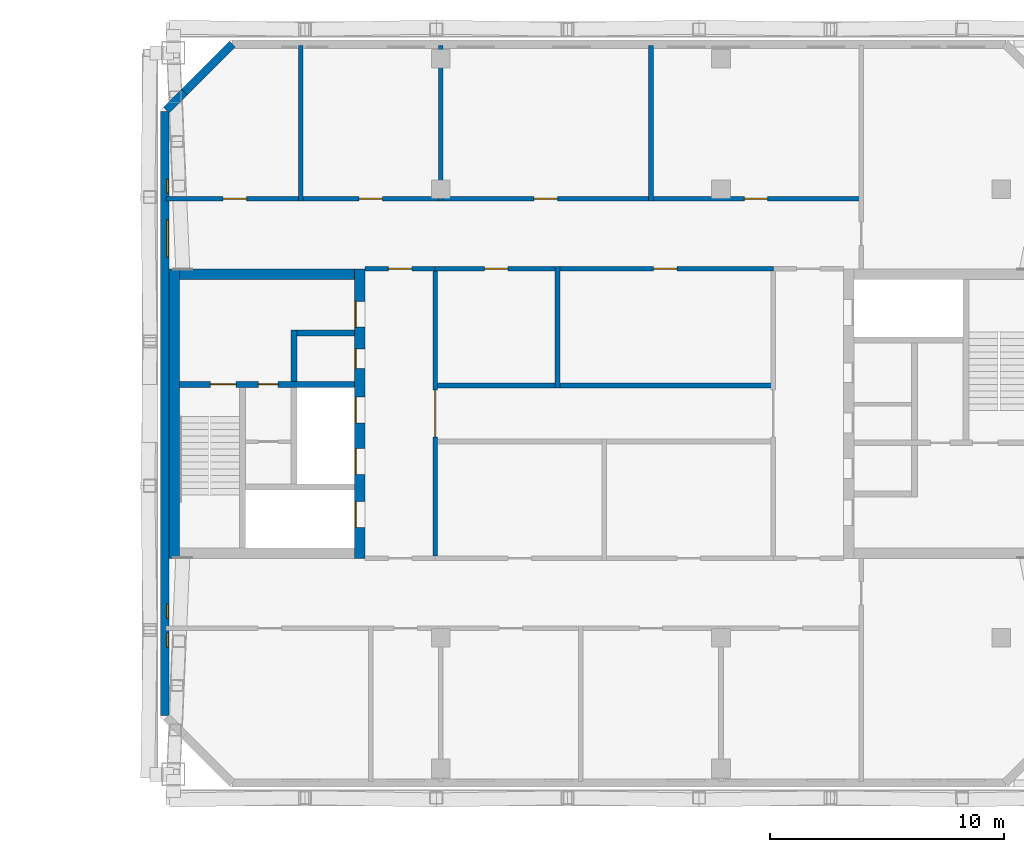
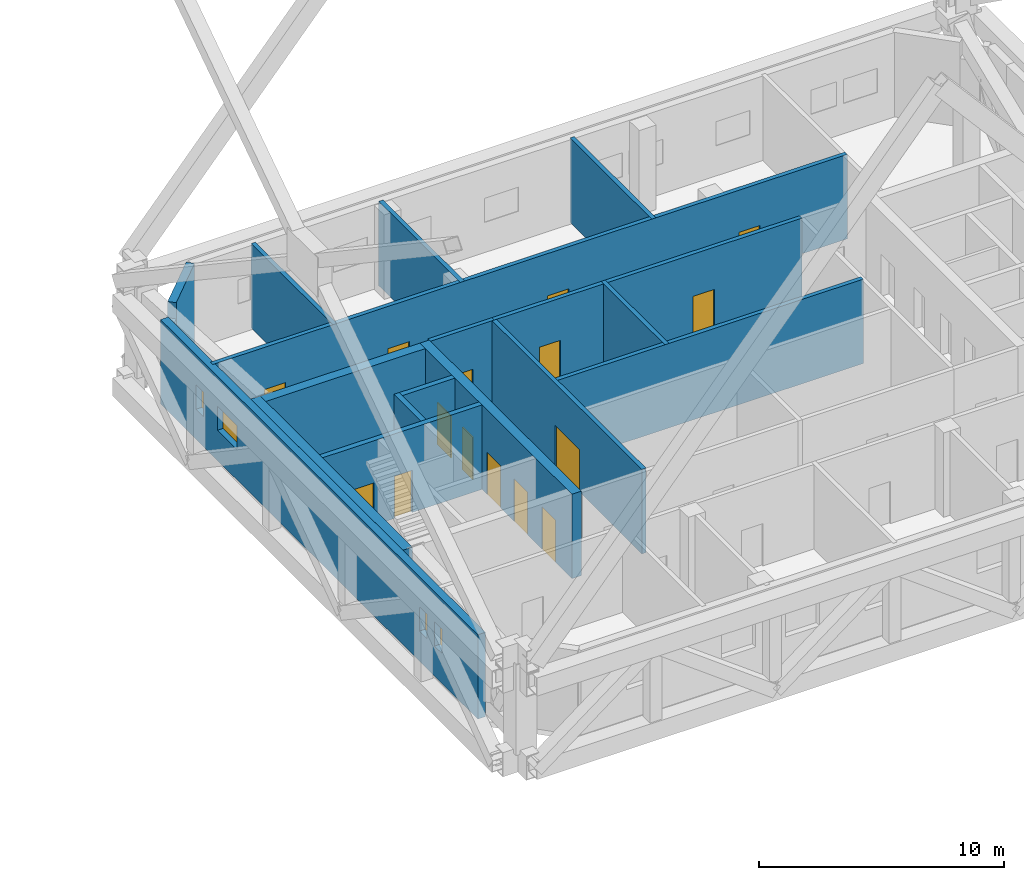
# One storey, part 12 of 20: 18 walls, 15 doors, 4 windows, 19 openings.
"""IFC4 building model written with IfcOpenShell, lengths in metres."""

from ifc_helpers import new_model, si_unit, direction, frame, frame_2d, origin, place, context, subcontext, project, spatial, rectangle, extrude, material, layer, layer_set, type_object, element, fill, save


model = new_model("IFC4")

# Units and contexts
model_context = context("Model", 3, precision=1e-05, world=origin(), true_north=direction((0.0, 1.0)))
body_context = subcontext(model_context, "Body", "Model", "MODEL_VIEW")
ifc_project = project(units=[si_unit("LENGTHUNIT", "METRE"), si_unit("AREAUNIT", "SQUARE_METRE"), si_unit("VOLUMEUNIT", "CUBIC_METRE"), si_unit("PLANEANGLEUNIT", "RADIAN"), si_unit("MASSUNIT", "GRAM", prefix="KILO")], contexts=[model_context])

# Site, building, storey
site_placement = place(None, origin())
site = spatial("IfcSite", under=ifc_project, at=site_placement, CompositionType="ELEMENT")
building_placement = place(site_placement, origin())
building = spatial("IfcBuilding", under=site, at=building_placement, Name="Tuart Gate Housing", CompositionType="ELEMENT")
storey_placement = place(building_placement, frame((0.0, 0.0, 167.10009765625)))
storey = spatial("IfcBuildingStorey", under=building, at=storey_placement, Name="L47", CompositionType="ELEMENT", Elevation=167.10009765625)

# Walls
ifc_material_1 = material(Name="Brick", Category="masonry")
ifc_layer_1 = layer(ifc_material_1, 0.360107421875)
ifc_layer_set_1 = layer_set([ifc_layer_1], Name="Brick pier and spandrel wall 360")
wall_type_1 = type_object("IfcWallType", Name="Brick pier and spandrel wall 360", PredefinedType="STANDARD", material=ifc_layer_set_1)
wall_1_placement = place(storey_placement, frame((134.07470703125, 85.820068359375, 0.0), z_axis=(0.0, 0.0, 1.0), x_axis=(-0.707148882153, -0.707064677713, 0.0)))
element("IfcWall", 1, at=wall_1_placement, inside=storey, type_object=wall_type_1, Name="External wall B-NW L47", PredefinedType="STANDARD", context=body_context, shape_type="SweptSolid", body=[
    extrude(rectangle(XDim=2.8994140625, YDim=0.360107421875, at=frame_2d((1.44970703125, 0.0))), origin(), (0.0, 0.0, 1.0), 4.199951171875),
])
wall_2_placement = place(storey_placement, frame((132.0244140625, 83.77001953125, 0.952880859375), z_axis=(0.0, 0.0, 1.0), x_axis=(-0.706994764273, -0.707218780358, 0.0)))
element("IfcWall", 2, at=wall_2_placement, inside=storey, type_object=wall_type_1, Name="External wall B-NW L47", PredefinedType="STANDARD", context=body_context, shape_type="SweptSolid", body=[
    extrude(rectangle(XDim=1.08984375, YDim=0.360107421875, at=frame_2d((0.544921875, 0.0))), origin(), (0.0, 0.0, 1.0), 2.444091796875),
])

# Wall, openings, windows
wall_3_placement = place(storey_placement, frame((131.179931640625, 82.92529296875, 0.0), z_axis=(0.0, 0.0, 1.0), x_axis=(0.0, -1.0, 0.0)))
wall_3 = element("IfcWall", 3, at=wall_3_placement, inside=storey, type_object=wall_type_1, Name="External wall B-W L47", PredefinedType="STANDARD", context=body_context, shape_type="SweptSolid", body=[
    extrude(rectangle(XDim=25.850830078125, YDim=0.360107421875, at=frame_2d((12.92529296875, 0.0))), origin(), (0.0, 0.0, 1.0), 4.199951171875),
])
opening_1_placement = place(wall_3_placement, frame((2.89990234375, 0.0, 1.5)))
opening_1 = element("IfcOpeningElement", 4, at=opening_1_placement, cuts=wall_3, Name="Opening W3C", PredefinedType="OPENING", context=body_context, shape_type="SweptSolid", body=[
    extrude(rectangle(XDim=0.60009765625, YDim=1.199951171875, at=frame_2d((0.300048828125, 0.60009765625))), frame((0.0, 0.18994140625, 0.0), z_axis=(0.0, -1.0, 0.0), x_axis=(1.0, 0.0, 0.0)), (0.0, 0.0, 1.0), 0.380126953125),
])
opening_2_placement = place(wall_3_placement, frame((4.62548828125, 0.0, 1.5)))
opening_2 = element("IfcOpeningElement", 5, at=opening_2_placement, cuts=wall_3, Name="Opening W3", PredefinedType="OPENING", context=body_context, shape_type="SweptSolid", body=[
    extrude(rectangle(XDim=1.60009765625, YDim=1.199951171875, at=frame_2d((0.800048828125, 0.60009765625))), frame((0.0, 0.18994140625, 0.0), z_axis=(0.0, -1.0, 0.0), x_axis=(1.0, 0.0, 0.0)), (0.0, 0.0, 1.0), 0.380126953125),
])
opening_3_placement = place(wall_3_placement, frame((21.100341796875, 0.0, 1.5)))
opening_3 = element("IfcOpeningElement", 6, at=opening_3_placement, cuts=wall_3, Name="Opening W3C", PredefinedType="OPENING", context=body_context, shape_type="SweptSolid", body=[
    extrude(rectangle(XDim=0.60009765625, YDim=1.199951171875, at=frame_2d((0.300048828125, 0.60009765625))), frame((0.0, 0.18994140625, 0.0), z_axis=(0.0, -1.0, 0.0), x_axis=(1.0, 0.0, 0.0)), (0.0, 0.0, 1.0), 0.380126953125),
])
opening_4_placement = place(wall_3_placement, frame((22.325439453125, 0.0, 1.5)))
opening_4 = element("IfcOpeningElement", 7, at=opening_4_placement, cuts=wall_3, Name="Opening W3C", PredefinedType="OPENING", context=body_context, shape_type="SweptSolid", body=[
    extrude(rectangle(XDim=0.60009765625, YDim=1.199951171875, at=frame_2d((0.300048828125, 0.60009765625))), frame((0.0, 0.18994140625, 0.0), z_axis=(0.0, -1.0, 0.0), x_axis=(1.0, 0.0, 0.0)), (0.0, 0.0, 1.0), 0.380126953125),
])
ifc_material_2 = material(Name="Aluminium louvre blades", Category="aluminium")
window_type_1 = type_object("IfcWindowType", Name="Louvre window 1600 x 1200", PartitioningType="DOUBLE_PANEL_HORIZONTAL", PredefinedType="WINDOW", material=ifc_material_2)
window_1_placement = place(opening_2_placement, origin())
window_1 = element("IfcWindow", 8, at=window_1_placement, inside=storey, type_object=window_type_1, Name="Louvre W3", OverallHeight=1.199951171875, OverallWidth=1.60009765625, PartitioningType="DOUBLE_PANEL_HORIZONTAL", PredefinedType="WINDOW", context=body_context, shape_type="SweptSolid", body=[
    extrude(rectangle(XDim=1.60009765625, YDim=1.199951171875, at=frame_2d((0.800048828125, 0.60009765625))), frame((0.0, 0.150146484375, 0.0), z_axis=(0.0, -1.0, 0.0), x_axis=(1.0, 0.0, 0.0)), (0.0, 0.0, 1.0), 0.06005859375),
])
fill(opening_2, window_1)
ifc_material_3 = material(Name="Aluminium louvre blades", Category="aluminium")
window_type_2 = type_object("IfcWindowType", Name="Louvre window 600 x 1200", PartitioningType="DOUBLE_PANEL_HORIZONTAL", PredefinedType="WINDOW", material=ifc_material_3)
window_2_placement = place(opening_1_placement, origin())
window_2 = element("IfcWindow", 9, at=window_2_placement, inside=storey, type_object=window_type_2, Name="Louvre W3C", OverallHeight=1.199951171875, OverallWidth=0.60009765625, PartitioningType="DOUBLE_PANEL_HORIZONTAL", PredefinedType="WINDOW", context=body_context, shape_type="SweptSolid", body=[
    extrude(rectangle(XDim=0.60009765625, YDim=1.199951171875, at=frame_2d((0.300048828125, 0.60009765625))), frame((0.0, 0.150146484375, 0.0), z_axis=(0.0, -1.0, 0.0), x_axis=(1.0, 0.0, 0.0)), (0.0, 0.0, 1.0), 0.06005859375),
])
fill(opening_1, window_2)
window_3_placement = place(opening_3_placement, origin())
window_3 = element("IfcWindow", 10, at=window_3_placement, inside=storey, type_object=window_type_2, Name="Louvre W3C", OverallHeight=1.199951171875, OverallWidth=0.60009765625, PartitioningType="DOUBLE_PANEL_HORIZONTAL", PredefinedType="WINDOW", context=body_context, shape_type="SweptSolid", body=[
    extrude(rectangle(XDim=0.60009765625, YDim=1.199951171875, at=frame_2d((0.300048828125, 0.60009765625))), frame((0.0, 0.150146484375, 0.0), z_axis=(0.0, -1.0, 0.0), x_axis=(1.0, 0.0, 0.0)), (0.0, 0.0, 1.0), 0.06005859375),
])
fill(opening_3, window_3)
window_4_placement = place(opening_4_placement, origin())
window_4 = element("IfcWindow", 11, at=window_4_placement, inside=storey, type_object=window_type_2, Name="Louvre W3C", OverallHeight=1.199951171875, OverallWidth=0.60009765625, PartitioningType="DOUBLE_PANEL_HORIZONTAL", PredefinedType="WINDOW", context=body_context, shape_type="SweptSolid", body=[
    extrude(rectangle(XDim=0.60009765625, YDim=1.199951171875, at=frame_2d((0.300048828125, 0.60009765625))), frame((0.0, 0.150146484375, 0.0), z_axis=(0.0, -1.0, 0.0), x_axis=(1.0, 0.0, 0.0)), (0.0, 0.0, 1.0), 0.06005859375),
])
fill(opening_4, window_4)

# Wall, openings, doors
ifc_material_4 = material(Name="Concrete C40", Category="concrete")
ifc_layer_2 = layer(ifc_material_4, 0.25)
ifc_layer_set_2 = layer_set([ifc_layer_2], Name="Core wall 250 C40")
wall_type_2 = type_object("IfcWallType", Name="Core wall 250 C40", PredefinedType="SHEAR", material=ifc_layer_set_2)
wall_4_placement = place(storey_placement, frame((139.31005859375, 71.25, 0.0), z_axis=(0.0, 0.0, 1.0), x_axis=(-1.0, 0.0, 0.0)))
wall_4 = element("IfcWall", 12, at=wall_4_placement, inside=storey, type_object=wall_type_2, Name="Core wall BG.3", PredefinedType="SHEAR", context=body_context, shape_type="SweptSolid", body=[
    extrude(rectangle(XDim=7.5, YDim=0.25, at=frame_2d((3.75, 0.0))), origin(), (0.0, 0.0, 1.0), 4.199951171875),
])
opening_5_placement = place(wall_4_placement, frame((5.074951171875, 0.0, 0.0)))
opening_5 = element("IfcOpeningElement", 13, at=opening_5_placement, cuts=wall_4, Name="Opening D3476", PredefinedType="OPENING", context=body_context, shape_type="SweptSolid", body=[
    extrude(rectangle(XDim=1.10009765625, YDim=2.10009765625, at=frame_2d((0.550048828125, 1.050048828125))), frame((0.0, 0.135009765625, 0.0), z_axis=(0.0, -1.0, 0.0), x_axis=(1.0, 0.0, 0.0)), (0.0, 0.0, 1.0), 0.27001953125),
])
opening_6_placement = place(wall_4_placement, frame((3.27490234375, 0.0, 0.0)))
opening_6 = element("IfcOpeningElement", 14, at=opening_6_placement, cuts=wall_4, Name="Opening D3475", PredefinedType="OPENING", context=body_context, shape_type="SweptSolid", body=[
    extrude(rectangle(XDim=0.85009765625, YDim=2.10009765625, at=frame_2d((0.425048828125, 1.050048828125))), frame((0.0, 0.135009765625, 0.0), z_axis=(0.0, -1.0, 0.0), x_axis=(1.0, 0.0, 0.0)), (0.0, 0.0, 1.0), 0.27001953125),
])
ifc_material_5 = material(Name="Steel fire door", Category="steel")
door_type_1 = type_object("IfcDoorType", Name="Riser door 850 x 2100", OperationType="SINGLE_SWING_LEFT", PredefinedType="DOOR", material=ifc_material_5)
door_1_placement = place(opening_6_placement, origin())
door_1 = element("IfcDoor", 15, at=door_1_placement, inside=storey, type_object=door_type_1, Name="Service room door BG.W1", OperationType="SINGLE_SWING_LEFT", OverallHeight=2.10009765625, OverallWidth=0.85009765625, PredefinedType="DOOR", context=body_context, shape_type="SweptSolid", body=[
    extrude(rectangle(XDim=0.85009765625, YDim=2.10009765625, at=frame_2d((0.425048828125, 1.050048828125))), frame((0.0, 0.02490234375, 0.0), z_axis=(0.0, -1.0, 0.0), x_axis=(1.0, 0.0, 0.0)), (0.0, 0.0, 1.0), 0.050048828125),
])
fill(opening_6, door_1)
ifc_material_6 = material(Name="Steel fire door", Category="steel")
door_type_2 = type_object("IfcDoorType", Name="Stair door 1100 x 2100", OperationType="SINGLE_SWING_LEFT", PredefinedType="DOOR", material=ifc_material_6)
door_2_placement = place(opening_5_placement, origin())
door_2 = element("IfcDoor", 16, at=door_2_placement, inside=storey, type_object=door_type_2, Name="Stair door BG.SD", OperationType="SINGLE_SWING_LEFT", OverallHeight=2.10009765625, OverallWidth=1.10009765625, PredefinedType="DOOR", context=body_context, shape_type="SweptSolid", body=[
    extrude(rectangle(XDim=1.10009765625, YDim=2.10009765625, at=frame_2d((0.550048828125, 1.050048828125))), frame((0.0, 0.02490234375, 0.0), z_axis=(0.0, -1.0, 0.0), x_axis=(1.0, 0.0, 0.0)), (0.0, 0.0, 1.0), 0.050048828125),
])
fill(opening_5, door_2)

# Walls
wall_5_placement = place(storey_placement, frame((139.31005859375, 73.449951171875, 0.0), z_axis=(0.0, 0.0, 1.0), x_axis=(-1.0, 0.0, 0.0)))
element("IfcWall", 17, at=wall_5_placement, inside=storey, type_object=wall_type_2, Name="Core wall BG.4", PredefinedType="SHEAR", context=body_context, shape_type="SweptSolid", body=[
    extrude(rectangle(XDim=2.47509765625, YDim=0.25, at=frame_2d((1.237548828125, 0.0))), origin(), (0.0, 0.0, 1.0), 4.199951171875),
])
wall_6_placement = place(storey_placement, frame((136.7099609375, 71.375, 0.0), z_axis=(0.0, 0.0, 1.0), x_axis=(0.0, 1.0, 0.0)))
element("IfcWall", 18, at=wall_6_placement, inside=storey, type_object=wall_type_2, Name="Core wall BG.6", PredefinedType="SHEAR", context=body_context, shape_type="SweptSolid", body=[
    extrude(rectangle(XDim=2.199951171875, YDim=0.25, at=frame_2d((1.10009765625, 0.0))), origin(), (0.0, 0.0, 1.0), 4.199951171875),
])

# Wall, openings, doors
ifc_material_7 = material(Name="Concrete C40", Category="concrete")
ifc_layer_3 = layer(ifc_material_7, 0.449951171875)
ifc_layer_set_3 = layer_set([ifc_layer_3], Name="Core wall 450 C40")
wall_type_3 = type_object("IfcWallType", Name="Core wall 450 C40", PredefinedType="SHEAR", material=ifc_layer_set_3)
wall_7_placement = place(storey_placement, frame((139.534912109375, 63.800048828125, 0.0), z_axis=(0.0, 0.0, 1.0), x_axis=(0.0, 1.0, 0.0)))
wall_7 = element("IfcWall", 19, at=wall_7_placement, inside=storey, type_object=wall_type_3, Name="Core wall BG front", PredefinedType="SHEAR", context=body_context, shape_type="SweptSolid", body=[
    extrude(rectangle(XDim=12.39990234375, YDim=0.449951171875, at=frame_2d((6.199951171875, 0.0))), origin(), (0.0, 0.0, 1.0), 4.199951171875),
])
opening_7_placement = place(wall_7_placement, frame((1.324951171875, 0.0, 0.0)))
opening_7 = element("IfcOpeningElement", 20, at=opening_7_placement, cuts=wall_7, Name="Opening LD-FB1", PredefinedType="OPENING", context=body_context, shape_type="SweptSolid", body=[
    extrude(rectangle(XDim=1.10009765625, YDim=2.10009765625, at=frame_2d((0.550048828125, 1.050048828125))), frame((0.0, 0.23486328125, 0.0), z_axis=(0.0, -1.0, 0.0), x_axis=(1.0, 0.0, 0.0)), (0.0, 0.0, 1.0), 0.469970703125),
])
opening_8_placement = place(wall_7_placement, frame((3.60009765625, 0.0, 0.0)))
opening_8 = element("IfcOpeningElement", 21, at=opening_8_placement, cuts=wall_7, Name="Opening LD-LB1", PredefinedType="OPENING", context=body_context, shape_type="SweptSolid", body=[
    extrude(rectangle(XDim=1.10009765625, YDim=2.10009765625, at=frame_2d((0.550048828125, 1.050048828125))), frame((0.0, 0.23486328125, 0.0), z_axis=(0.0, -1.0, 0.0), x_axis=(1.0, 0.0, 0.0)), (0.0, 0.0, 1.0), 0.469970703125),
])
opening_9_placement = place(wall_7_placement, frame((5.800048828125, 0.0, 0.0)))
opening_9 = element("IfcOpeningElement", 22, at=opening_9_placement, cuts=wall_7, Name="Opening LD-LB2", PredefinedType="OPENING", context=body_context, shape_type="SweptSolid", body=[
    extrude(rectangle(XDim=1.10009765625, YDim=2.10009765625, at=frame_2d((0.550048828125, 1.050048828125))), frame((0.0, 0.23486328125, 0.0), z_axis=(0.0, -1.0, 0.0), x_axis=(1.0, 0.0, 0.0)), (0.0, 0.0, 1.0), 0.469970703125),
])
opening_10_placement = place(wall_7_placement, frame((9.89990234375, 0.0, 0.0)))
opening_10 = element("IfcOpeningElement", 23, at=opening_10_placement, cuts=wall_7, Name="Opening D3477", PredefinedType="OPENING", context=body_context, shape_type="SweptSolid", body=[
    extrude(rectangle(XDim=1.10009765625, YDim=2.10009765625, at=frame_2d((0.550048828125, 1.050048828125))), frame((0.0, 0.23486328125, 0.0), z_axis=(0.0, -1.0, 0.0), x_axis=(1.0, 0.0, 0.0)), (0.0, 0.0, 1.0), 0.469970703125),
])
opening_11_placement = place(wall_7_placement, frame((8.125, 0.0, 0.0)))
opening_11 = element("IfcOpeningElement", 24, at=opening_11_placement, cuts=wall_7, Name="Opening D3478", PredefinedType="OPENING", context=body_context, shape_type="SweptSolid", body=[
    extrude(rectangle(XDim=0.85009765625, YDim=2.10009765625, at=frame_2d((0.425048828125, 1.050048828125))), frame((0.0, 0.23486328125, 0.0), z_axis=(0.0, -1.0, 0.0), x_axis=(1.0, 0.0, 0.0)), (0.0, 0.0, 1.0), 0.469970703125),
])
ifc_material_8 = material(Name="Stainless steel", Category="steel")
door_type_3 = type_object("IfcDoorType", Name="Landing door 1100 x 2100", OperationType="DOUBLE_DOOR_SLIDING", PredefinedType="DOOR", material=ifc_material_8)
door_3_placement = place(opening_7_placement, origin())
door_3 = element("IfcDoor", 25, at=door_3_placement, inside=storey, type_object=door_type_3, Name="Lift landing door FB1", OperationType="DOUBLE_DOOR_SLIDING", OverallHeight=2.10009765625, OverallWidth=1.10009765625, PredefinedType="DOOR", context=body_context, shape_type="SweptSolid", body=[
    extrude(rectangle(XDim=1.10009765625, YDim=2.10009765625, at=frame_2d((0.550048828125, 1.050048828125))), frame((0.0, 0.2099609375, 0.0), z_axis=(0.0, -1.0, 0.0), x_axis=(1.0, 0.0, 0.0)), (0.0, 0.0, 1.0), 0.050048828125),
])
fill(opening_7, door_3)
door_4_placement = place(opening_8_placement, origin())
door_4 = element("IfcDoor", 26, at=door_4_placement, inside=storey, type_object=door_type_3, Name="Lift landing door LB1", OperationType="DOUBLE_DOOR_SLIDING", OverallHeight=2.10009765625, OverallWidth=1.10009765625, PredefinedType="DOOR", context=body_context, shape_type="SweptSolid", body=[
    extrude(rectangle(XDim=1.10009765625, YDim=2.10009765625, at=frame_2d((0.550048828125, 1.050048828125))), frame((0.0, 0.2099609375, 0.0), z_axis=(0.0, -1.0, 0.0), x_axis=(1.0, 0.0, 0.0)), (0.0, 0.0, 1.0), 0.050048828125),
])
fill(opening_8, door_4)
door_5_placement = place(opening_9_placement, origin())
door_5 = element("IfcDoor", 27, at=door_5_placement, inside=storey, type_object=door_type_3, Name="Lift landing door LB2", OperationType="DOUBLE_DOOR_SLIDING", OverallHeight=2.10009765625, OverallWidth=1.10009765625, PredefinedType="DOOR", context=body_context, shape_type="SweptSolid", body=[
    extrude(rectangle(XDim=1.10009765625, YDim=2.10009765625, at=frame_2d((0.550048828125, 1.050048828125))), frame((0.0, 0.2099609375, 0.0), z_axis=(0.0, -1.0, 0.0), x_axis=(1.0, 0.0, 0.0)), (0.0, 0.0, 1.0), 0.050048828125),
])
fill(opening_9, door_5)
ifc_material_9 = material(Name="Steel fire door", Category="steel")
door_type_4 = type_object("IfcDoorType", Name="Lobby door 1100 x 2100", OperationType="SINGLE_SWING_LEFT", PredefinedType="DOOR", material=ifc_material_9)
door_6_placement = place(opening_10_placement, origin())
door_6 = element("IfcDoor", 28, at=door_6_placement, inside=storey, type_object=door_type_4, Name="Lobby entry door BG.EN", OperationType="SINGLE_SWING_LEFT", OverallHeight=2.10009765625, OverallWidth=1.10009765625, PredefinedType="DOOR", context=body_context, shape_type="SweptSolid", body=[
    extrude(rectangle(XDim=1.10009765625, YDim=2.10009765625, at=frame_2d((0.550048828125, 1.050048828125))), frame((0.0, 0.2099609375, 0.0), z_axis=(0.0, -1.0, 0.0), x_axis=(1.0, 0.0, 0.0)), (0.0, 0.0, 1.0), 0.050048828125),
])
fill(opening_10, door_6)
ifc_material_10 = material(Name="Steel fire door", Category="steel")
door_type_5 = type_object("IfcDoorType", Name="Service door 850 x 2100", OperationType="SINGLE_SWING_LEFT", PredefinedType="DOOR", material=ifc_material_10)
door_7_placement = place(opening_11_placement, origin())
door_7 = element("IfcDoor", 29, at=door_7_placement, inside=storey, type_object=door_type_5, Name="Service room door BG.T1", OperationType="SINGLE_SWING_LEFT", OverallHeight=2.10009765625, OverallWidth=0.85009765625, PredefinedType="DOOR", context=body_context, shape_type="SweptSolid", body=[
    extrude(rectangle(XDim=0.85009765625, YDim=2.10009765625, at=frame_2d((0.425048828125, 1.050048828125))), frame((0.0, 0.2099609375, 0.0), z_axis=(0.0, -1.0, 0.0), x_axis=(1.0, 0.0, 0.0)), (0.0, 0.0, 1.0), 0.050048828125),
])
fill(opening_11, door_7)

# Walls
wall_8_placement = place(storey_placement, frame((131.5849609375, 63.800048828125, 0.0), z_axis=(0.0, 0.0, 1.0), x_axis=(0.0, 1.0, 0.0)))
element("IfcWall", 30, at=wall_8_placement, inside=storey, type_object=wall_type_3, Name="Core wall BG back", PredefinedType="SHEAR", context=body_context, shape_type="SweptSolid", body=[
    extrude(rectangle(XDim=12.39990234375, YDim=0.449951171875, at=frame_2d((6.199951171875, 0.0))), origin(), (0.0, 0.0, 1.0), 4.199951171875),
])
wall_9_placement = place(storey_placement, frame((139.31005859375, 75.97509765625, 0.0), z_axis=(0.0, 0.0, 1.0), x_axis=(-1.0, 0.0, 0.0)))
element("IfcWall", 31, at=wall_9_placement, inside=storey, type_object=wall_type_3, Name="Core wall BG north", PredefinedType="SHEAR", context=body_context, shape_type="SweptSolid", body=[
    extrude(rectangle(XDim=7.5, YDim=0.449951171875, at=frame_2d((3.75, 0.0))), origin(), (0.0, 0.0, 1.0), 4.199951171875),
])
ifc_material_11 = material(Name="Concrete masonry 15 MPa", Category="masonry")
ifc_layer_4 = layer(ifc_material_11, 0.199951171875)
ifc_layer_set_4 = layer_set([ifc_layer_4], Name="Enclosure wall masonry 200")
wall_type_4 = type_object("IfcWallType", Name="Enclosure wall masonry 200", PredefinedType="PARTITIONING", material=ifc_layer_set_4)
wall_10_placement = place(storey_placement, frame((142.760009765625, 71.199951171875, 0.0), z_axis=(0.0, 0.0, 1.0), x_axis=(1.0, 0.0, 0.0)))
element("IfcWall", 32, at=wall_10_placement, inside=storey, type_object=wall_type_4, Name="Enclosure wall masonry 200", PredefinedType="PARTITIONING", context=body_context, shape_type="SweptSolid", body=[
    extrude(rectangle(XDim=14.47998046875, YDim=0.199951171875, at=frame_2d((7.239990234375, 0.0))), origin(), (0.0, 0.0, 1.0), 4.199951171875),
])

# Wall, openings, doors
wall_11_placement = place(storey_placement, frame((142.760009765625, 76.199951171875, 0.0), z_axis=(0.0, 0.0, 1.0), x_axis=(1.0, 0.0, 0.0)))
wall_11 = element("IfcWall", 33, at=wall_11_placement, inside=storey, type_object=wall_type_4, Name="Enclosure wall masonry 200", PredefinedType="PARTITIONING", context=body_context, shape_type="SweptSolid", body=[
    extrude(rectangle(XDim=14.47998046875, YDim=0.199951171875, at=frame_2d((7.239990234375, 0.0))), origin(), (0.0, 0.0, 1.0), 4.199951171875),
])
opening_12_placement = place(wall_11_placement, frame((2.1201171875, 0.0, 0.0)))
opening_12 = element("IfcOpeningElement", 34, at=opening_12_placement, cuts=wall_11, Name="Opening D3472", PredefinedType="OPENING", context=body_context, shape_type="SweptSolid", body=[
    extrude(rectangle(XDim=1.0, YDim=2.10009765625, at=frame_2d((0.5, 1.050048828125))), frame((0.0, 0.10986328125, 0.0), z_axis=(0.0, -1.0, 0.0), x_axis=(1.0, 0.0, 0.0)), (0.0, 0.0, 1.0), 0.219970703125),
])
opening_13_placement = place(wall_11_placement, frame((9.360107421875, 0.0, 0.0)))
opening_13 = element("IfcOpeningElement", 35, at=opening_13_placement, cuts=wall_11, Name="Opening D3473", PredefinedType="OPENING", context=body_context, shape_type="SweptSolid", body=[
    extrude(rectangle(XDim=1.0, YDim=2.10009765625, at=frame_2d((0.5, 1.050048828125))), frame((0.0, 0.10986328125, 0.0), z_axis=(0.0, -1.0, 0.0), x_axis=(1.0, 0.0, 0.0)), (0.0, 0.0, 1.0), 0.219970703125),
])
ifc_material_12 = material(Name="Timber door leaf in steel frame", Category="steel")
door_type_6 = type_object("IfcDoorType", Name="Fire door 1000 RH", OperationType="SINGLE_SWING_RIGHT", PredefinedType="DOOR", material=ifc_material_12)
door_8_placement = place(opening_12_placement, frame((1.0, 0.0, 0.0), z_axis=(0.0, 0.0, 1.0), x_axis=(-1.0, 0.0, 0.0)))
door_8 = element("IfcDoor", 36, at=door_8_placement, inside=storey, type_object=door_type_6, Name="Fire door 1000", OperationType="SINGLE_SWING_RIGHT", OverallHeight=2.10009765625, OverallWidth=1.0, PredefinedType="DOOR", context=body_context, shape_type="SweptSolid", body=[
    extrude(rectangle(XDim=1.0, YDim=2.10009765625, at=frame_2d((0.5, 1.050048828125))), frame((0.0, 0.025146484375, 0.0), z_axis=(0.0, -1.0, 0.0), x_axis=(1.0, 0.0, 0.0)), (0.0, 0.0, 1.0), 0.050048828125),
])
fill(opening_12, door_8)
door_9_placement = place(opening_13_placement, frame((1.0, 0.0, 0.0), z_axis=(0.0, 0.0, 1.0), x_axis=(-1.0, 0.0, 0.0)))
door_9 = element("IfcDoor", 37, at=door_9_placement, inside=storey, type_object=door_type_6, Name="Fire door 1000", OperationType="SINGLE_SWING_RIGHT", OverallHeight=2.10009765625, OverallWidth=1.0, PredefinedType="DOOR", context=body_context, shape_type="SweptSolid", body=[
    extrude(rectangle(XDim=1.0, YDim=2.10009765625, at=frame_2d((0.5, 1.050048828125))), frame((0.0, 0.025146484375, 0.0), z_axis=(0.0, -1.0, 0.0), x_axis=(1.0, 0.0, 0.0)), (0.0, 0.0, 1.0), 0.050048828125),
])
fill(opening_13, door_9)

# Wall, opening, door
wall_12_placement = place(storey_placement, frame((139.760009765625, 76.199951171875, 0.0), z_axis=(0.0, 0.0, 1.0), x_axis=(1.0, 0.0, 0.0)))
wall_12 = element("IfcWall", 38, at=wall_12_placement, inside=storey, type_object=wall_type_4, Name="Enclosure wall masonry 200", PredefinedType="PARTITIONING", context=body_context, shape_type="SweptSolid", body=[
    extrude(rectangle(XDim=3.0, YDim=0.199951171875, at=frame_2d((1.5, 0.0))), origin(), (0.0, 0.0, 1.0), 4.199951171875),
])
opening_14_placement = place(wall_12_placement, frame((1.0, 0.0, 0.0)))
opening_14 = element("IfcOpeningElement", 39, at=opening_14_placement, cuts=wall_12, Name="Opening D3471", PredefinedType="OPENING", context=body_context, shape_type="SweptSolid", body=[
    extrude(rectangle(XDim=1.0, YDim=2.10009765625, at=frame_2d((0.5, 1.050048828125))), frame((0.0, 0.10986328125, 0.0), z_axis=(0.0, -1.0, 0.0), x_axis=(1.0, 0.0, 0.0)), (0.0, 0.0, 1.0), 0.219970703125),
])
ifc_material_13 = material(Name="Timber door leaf in steel frame", Category="steel")
door_type_7 = type_object("IfcDoorType", Name="Lobby door 1000", OperationType="SINGLE_SWING_LEFT", PredefinedType="DOOR", material=ifc_material_13)
door_10_placement = place(opening_14_placement, frame((1.0, 0.0, 0.0), z_axis=(0.0, 0.0, 1.0), x_axis=(-1.0, 0.0, 0.0)))
door_10 = element("IfcDoor", 40, at=door_10_placement, inside=storey, type_object=door_type_7, Name="Lobby door 1000", OperationType="SINGLE_SWING_LEFT", OverallHeight=2.10009765625, OverallWidth=1.0, PredefinedType="DOOR", context=body_context, shape_type="SweptSolid", body=[
    extrude(rectangle(XDim=1.0, YDim=2.10009765625, at=frame_2d((0.5, 1.050048828125))), frame((0.0, 0.025146484375, 0.0), z_axis=(0.0, -1.0, 0.0), x_axis=(1.0, 0.0, 0.0)), (0.0, 0.0, 1.0), 0.050048828125),
])
fill(opening_14, door_10)

# Wall, openings, doors
wall_13_placement = place(storey_placement, frame((131.239990234375, 79.199951171875, 0.0), z_axis=(0.0, 0.0, 1.0), x_axis=(1.0, 0.0, 0.0)))
wall_13 = element("IfcWall", 41, at=wall_13_placement, inside=storey, type_object=wall_type_4, Name="Enclosure wall masonry 200", PredefinedType="PARTITIONING", context=body_context, shape_type="SweptSolid", body=[
    extrude(rectangle(XDim=29.860107421875, YDim=0.199951171875, at=frame_2d((14.93017578125, 0.0))), origin(), (0.0, 0.0, 1.0), 4.199951171875),
])
opening_15_placement = place(wall_13_placement, frame((2.43994140625, 0.0, 0.0)))
opening_15 = element("IfcOpeningElement", 42, at=opening_15_placement, cuts=wall_13, Name="Opening D3467", PredefinedType="OPENING", context=body_context, shape_type="SweptSolid", body=[
    extrude(rectangle(XDim=1.0, YDim=2.10009765625, at=frame_2d((0.5, 1.050048828125))), frame((0.0, 0.10986328125, 0.0), z_axis=(0.0, -1.0, 0.0), x_axis=(1.0, 0.0, 0.0)), (0.0, 0.0, 1.0), 0.219970703125),
])
opening_16_placement = place(wall_13_placement, frame((8.260009765625, 0.0, 0.0)))
opening_16 = element("IfcOpeningElement", 43, at=opening_16_placement, cuts=wall_13, Name="Opening D3468", PredefinedType="OPENING", context=body_context, shape_type="SweptSolid", body=[
    extrude(rectangle(XDim=1.0, YDim=2.10009765625, at=frame_2d((0.5, 1.050048828125))), frame((0.0, 0.10986328125, 0.0), z_axis=(0.0, -1.0, 0.0), x_axis=(1.0, 0.0, 0.0)), (0.0, 0.0, 1.0), 0.219970703125),
])
opening_17_placement = place(wall_13_placement, frame((15.760009765625, 0.0, 0.0)))
opening_17 = element("IfcOpeningElement", 44, at=opening_17_placement, cuts=wall_13, Name="Opening D3469", PredefinedType="OPENING", context=body_context, shape_type="SweptSolid", body=[
    extrude(rectangle(XDim=1.0, YDim=2.10009765625, at=frame_2d((0.5, 1.050048828125))), frame((0.0, 0.10986328125, 0.0), z_axis=(0.0, -1.0, 0.0), x_axis=(1.0, 0.0, 0.0)), (0.0, 0.0, 1.0), 0.219970703125),
])
opening_18_placement = place(wall_13_placement, frame((24.760009765625, 0.0, 0.0)))
opening_18 = element("IfcOpeningElement", 45, at=opening_18_placement, cuts=wall_13, Name="Opening D3470", PredefinedType="OPENING", context=body_context, shape_type="SweptSolid", body=[
    extrude(rectangle(XDim=1.0, YDim=2.10009765625, at=frame_2d((0.5, 1.050048828125))), frame((0.0, 0.10986328125, 0.0), z_axis=(0.0, -1.0, 0.0), x_axis=(1.0, 0.0, 0.0)), (0.0, 0.0, 1.0), 0.219970703125),
])
ifc_material_14 = material(Name="Timber door leaf in steel frame", Category="steel")
door_type_8 = type_object("IfcDoorType", Name="Fire door 1000", OperationType="SINGLE_SWING_LEFT", PredefinedType="DOOR", material=ifc_material_14)
door_11_placement = place(opening_15_placement, origin())
door_11 = element("IfcDoor", 46, at=door_11_placement, inside=storey, type_object=door_type_8, Name="Fire door 1000", OperationType="SINGLE_SWING_LEFT", OverallHeight=2.10009765625, OverallWidth=1.0, PredefinedType="DOOR", context=body_context, shape_type="SweptSolid", body=[
    extrude(rectangle(XDim=1.0, YDim=2.10009765625, at=frame_2d((0.5, 1.050048828125))), frame((0.0, 0.02490234375, 0.0), z_axis=(0.0, -1.0, 0.0), x_axis=(1.0, 0.0, 0.0)), (0.0, 0.0, 1.0), 0.050048828125),
])
fill(opening_15, door_11)
door_12_placement = place(opening_16_placement, origin())
door_12 = element("IfcDoor", 47, at=door_12_placement, inside=storey, type_object=door_type_8, Name="Fire door 1000", OperationType="SINGLE_SWING_LEFT", OverallHeight=2.10009765625, OverallWidth=1.0, PredefinedType="DOOR", context=body_context, shape_type="SweptSolid", body=[
    extrude(rectangle(XDim=1.0, YDim=2.10009765625, at=frame_2d((0.5, 1.050048828125))), frame((0.0, 0.02490234375, 0.0), z_axis=(0.0, -1.0, 0.0), x_axis=(1.0, 0.0, 0.0)), (0.0, 0.0, 1.0), 0.050048828125),
])
fill(opening_16, door_12)
door_13_placement = place(opening_17_placement, origin())
door_13 = element("IfcDoor", 48, at=door_13_placement, inside=storey, type_object=door_type_8, Name="Fire door 1000", OperationType="SINGLE_SWING_LEFT", OverallHeight=2.10009765625, OverallWidth=1.0, PredefinedType="DOOR", context=body_context, shape_type="SweptSolid", body=[
    extrude(rectangle(XDim=1.0, YDim=2.10009765625, at=frame_2d((0.5, 1.050048828125))), frame((0.0, 0.02490234375, 0.0), z_axis=(0.0, -1.0, 0.0), x_axis=(1.0, 0.0, 0.0)), (0.0, 0.0, 1.0), 0.050048828125),
])
fill(opening_17, door_13)
door_14_placement = place(opening_18_placement, origin())
door_14 = element("IfcDoor", 49, at=door_14_placement, inside=storey, type_object=door_type_8, Name="Fire door 1000", OperationType="SINGLE_SWING_LEFT", OverallHeight=2.10009765625, OverallWidth=1.0, PredefinedType="DOOR", context=body_context, shape_type="SweptSolid", body=[
    extrude(rectangle(XDim=1.0, YDim=2.10009765625, at=frame_2d((0.5, 1.050048828125))), frame((0.0, 0.02490234375, 0.0), z_axis=(0.0, -1.0, 0.0), x_axis=(1.0, 0.0, 0.0)), (0.0, 0.0, 1.0), 0.050048828125),
])
fill(opening_18, door_14)

# Walls
for number, where, z_axis, x_axis, name in (
    (50, (137.0, 79.10009765625, 0.0), (0.0, 0.0, 1.0), (0.0, 1.0, 0.0), "Enclosure wall masonry 200"),
    (51, (143.0, 79.10009765625, 0.0), (0.0, 0.0, 1.0), (0.0, 1.0, 0.0), "Enclosure wall masonry 200"),
):
    element("IfcWall", number, at=place(storey_placement, frame(where, z_axis=z_axis, x_axis=x_axis)), inside=storey, type_object=wall_type_4, Name=name, PredefinedType="PARTITIONING", context=body_context, shape_type="SweptSolid", body=[
        extrude(rectangle(XDim=6.659912109375, YDim=0.199951171875, at=frame_2d((3.330078125, 0.0))), origin(), (0.0, 0.0, 1.0), 4.199951171875),
    ])
wall_14_placement = place(storey_placement, frame((148.0, 71.10009765625, 0.0), z_axis=(0.0, 0.0, 1.0), x_axis=(0.0, 1.0, 0.0)))
element("IfcWall", 52, at=wall_14_placement, inside=storey, type_object=wall_type_4, Name="Enclosure wall masonry 200", PredefinedType="PARTITIONING", context=body_context, shape_type="SweptSolid", body=[
    extrude(rectangle(XDim=5.199951171875, YDim=0.199951171875, at=frame_2d((2.60009765625, 0.0))), origin(), (0.0, 0.0, 1.0), 4.199951171875),
])
wall_15_placement = place(storey_placement, frame((152.0, 79.10009765625, 0.0), z_axis=(0.0, 0.0, 1.0), x_axis=(0.0, 1.0, 0.0)))
element("IfcWall", 53, at=wall_15_placement, inside=storey, type_object=wall_type_4, Name="Enclosure wall masonry 200", PredefinedType="PARTITIONING", context=body_context, shape_type="SweptSolid", body=[
    extrude(rectangle(XDim=6.659912109375, YDim=0.199951171875, at=frame_2d((3.330078125, 0.0))), origin(), (0.0, 0.0, 1.0), 4.199951171875),
])

# Wall, opening, door
ifc_material_15 = material(Name="Plasterboard partition")
ifc_layer_5 = layer(ifc_material_15, 0.199951171875)
ifc_layer_set_5 = layer_set([ifc_layer_5], Name="Lobby wall 200")
wall_type_5 = type_object("IfcWallType", Name="Lobby wall 200", PredefinedType="PARTITIONING", material=ifc_layer_set_5)
wall_16_placement = place(storey_placement, frame((142.760009765625, 63.89990234375, 0.0), z_axis=(0.0, 0.0, 1.0), x_axis=(0.0, 1.0, 0.0)))
wall_16 = element("IfcWall", 54, at=wall_16_placement, inside=storey, type_object=wall_type_5, Name="Lift lobby wall BG", PredefinedType="PARTITIONING", context=body_context, shape_type="SweptSolid", body=[
    extrude(rectangle(XDim=12.2001953125, YDim=0.199951171875, at=frame_2d((6.10009765625, 0.0))), origin(), (0.0, 0.0, 1.0), 4.199951171875),
])
opening_19_placement = place(wall_16_placement, frame((5.10009765625, 0.0, 0.0)))
opening_19 = element("IfcOpeningElement", 55, at=opening_19_placement, cuts=wall_16, Name="Opening D3479", PredefinedType="OPENING", context=body_context, shape_type="SweptSolid", body=[
    extrude(rectangle(XDim=2.0, YDim=2.10009765625, at=frame_2d((1.0, 1.050048828125))), frame((0.0, 0.10986328125, 0.0), z_axis=(0.0, -1.0, 0.0), x_axis=(1.0, 0.0, 0.0)), (0.0, 0.0, 1.0), 0.219970703125),
])
ifc_material_16 = material(Name="Steel fire door", Category="steel")
door_type_9 = type_object("IfcDoorType", Name="Smoke door 2000 x 2100", OperationType="DOUBLE_DOOR_SINGLE_SWING", PredefinedType="DOOR", material=ifc_material_16)
door_15_placement = place(opening_19_placement, origin())
door_15 = element("IfcDoor", 56, at=door_15_placement, inside=storey, type_object=door_type_9, Name="Lift lobby smoke door BG", OperationType="DOUBLE_DOOR_SINGLE_SWING", OverallHeight=2.10009765625, OverallWidth=2.0, PredefinedType="DOOR", context=body_context, shape_type="SweptSolid", body=[
    extrude(rectangle(XDim=2.0, YDim=2.10009765625, at=frame_2d((1.0, 1.050048828125))), frame((0.0, 0.02490234375, 0.0), z_axis=(0.0, -1.0, 0.0), x_axis=(1.0, 0.0, 0.0)), (0.0, 0.0, 1.0), 0.050048828125),
])
fill(opening_19, door_15)

save(model, "model.ifc")
